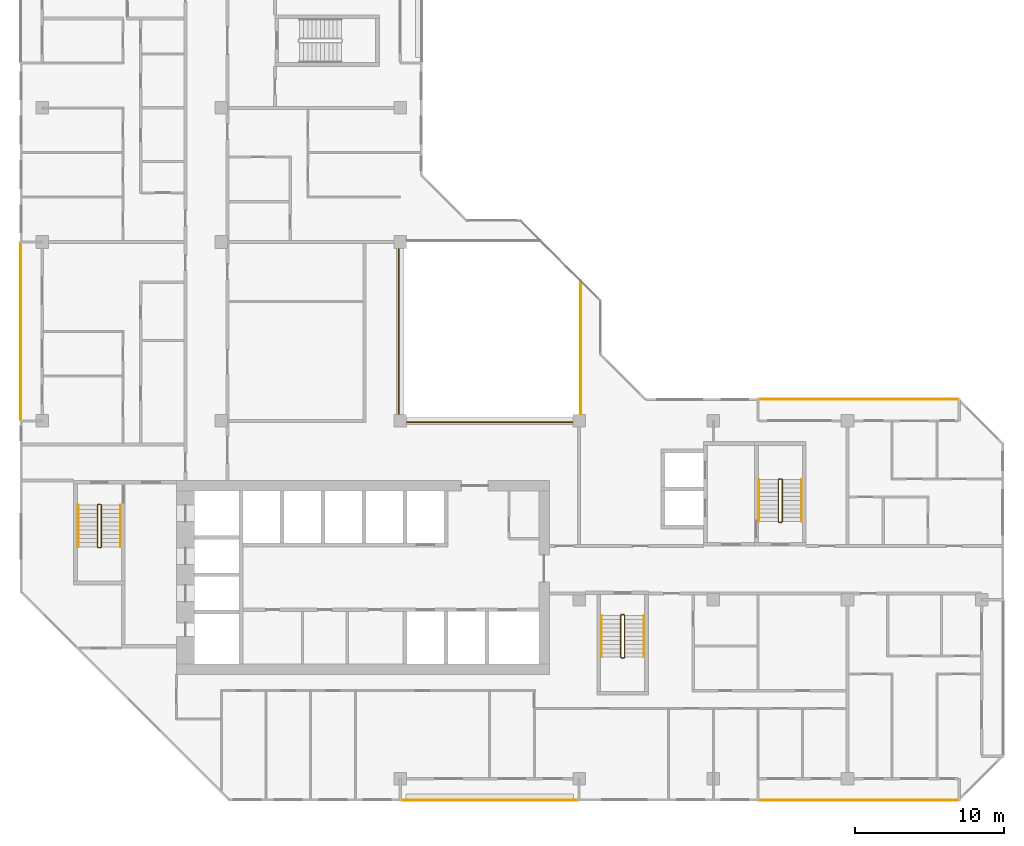
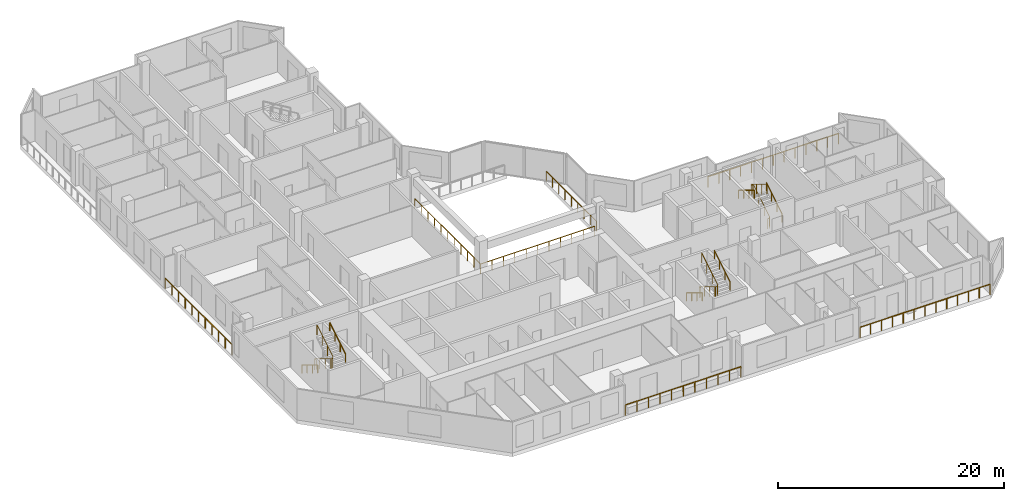
# One storey, part 15 of 16: 15 railings.
"""IFC4 building model written with IfcOpenShell, lengths in metres."""

from ifc_helpers import new_model, si_unit, direction, frame, origin, origin_2d, place, context, subcontext, project, spatial, rectangle, extrude, material, type_object, element, save


model = new_model("IFC4")

# Units and contexts
model_context = context("Model", 3, precision=1e-05, world=origin(), true_north=direction((0.0, 1.0)))
body_context = subcontext(model_context, "Body", "Model", "MODEL_VIEW")
ifc_project = project(units=[si_unit("LENGTHUNIT", "METRE"), si_unit("AREAUNIT", "SQUARE_METRE"), si_unit("VOLUMEUNIT", "CUBIC_METRE"), si_unit("PLANEANGLEUNIT", "RADIAN"), si_unit("MASSUNIT", "GRAM", prefix="KILO")], contexts=[model_context])

# Site, building, storey
site_placement = place(None, origin())
site = spatial("IfcSite", under=ifc_project, at=site_placement, CompositionType="ELEMENT")
building_placement = place(site_placement, origin())
building = spatial("IfcBuilding", under=site, at=building_placement, Name="Chenar Terraces", CompositionType="ELEMENT")
storey_placement = place(building_placement, frame((0.0, 0.0, 222.89990234375)))
storey = spatial("IfcBuildingStorey", under=building, at=storey_placement, Name="L52", CompositionType="ELEMENT", Elevation=222.89990234375)

# Railings
ifc_material_1 = material(Name="Powder-coated steel", Category="steel")
railing_type_1 = type_object("IfcRailingType", Name="Guard 1100 steel rail with glass infill", PredefinedType="GUARDRAIL", material=ifc_material_1)
railing_1_placement = place(storey_placement, frame((23.89990234375, 35.574951171875, 0.0)))
element("IfcRailing", 1, at=railing_1_placement, inside=storey, type_object=railing_type_1, Name="Guard L52-1", PredefinedType="GUARDRAIL", context=body_context, shape_type="SweptSolid", body=[
    extrude(rectangle(XDim=0.06005859375, YDim=0.06005859375, at=origin_2d()), frame((0.0, 0.0, 1.070068359375), z_axis=(0.0, -1.0, 0.0), x_axis=(1.0, 0.0, 0.0)), (0.0, 0.0, 1.0), 11.675048828125),
    extrude(rectangle(XDim=0.06005859375, YDim=0.06005859375, at=origin_2d()), frame((0.0, -11.675048828125, 1.070068359375), z_axis=(1.0, 0.0, 0.0), x_axis=(0.0, 1.0, 0.0)), (0.0, 0.0, 1.0), 11.675048828125),
    extrude(rectangle(XDim=0.050048828125, YDim=0.050048828125, at=origin_2d()), origin(), (0.0, 0.0, 1.0), 1.0400390625),
    extrude(rectangle(XDim=0.050048828125, YDim=0.050048828125, at=origin_2d()), frame((0.0, -1.16748046875, 0.0)), (0.0, 0.0, 1.0), 1.0400390625),
    extrude(rectangle(XDim=0.050048828125, YDim=0.050048828125, at=origin_2d()), frame((0.0, -2.3349609375, 0.0)), (0.0, 0.0, 1.0), 1.0400390625),
    extrude(rectangle(XDim=0.050048828125, YDim=0.050048828125, at=origin_2d()), frame((0.0, -3.50244140625, 0.0)), (0.0, 0.0, 1.0), 1.0400390625),
    extrude(rectangle(XDim=0.050048828125, YDim=0.050048828125, at=origin_2d()), frame((0.0, -4.669921875, 0.0)), (0.0, 0.0, 1.0), 1.0400390625),
    extrude(rectangle(XDim=0.050048828125, YDim=0.050048828125, at=origin_2d()), frame((0.0, -5.83740234375, 0.0)), (0.0, 0.0, 1.0), 1.0400390625),
    extrude(rectangle(XDim=0.050048828125, YDim=0.050048828125, at=origin_2d()), frame((0.0, -7.005126953125, 0.0)), (0.0, 0.0, 1.0), 1.0400390625),
    extrude(rectangle(XDim=0.050048828125, YDim=0.050048828125, at=origin_2d()), frame((0.0, -8.172607421875, 0.0)), (0.0, 0.0, 1.0), 1.0400390625),
    extrude(rectangle(XDim=0.050048828125, YDim=0.050048828125, at=origin_2d()), frame((0.0, -9.340087890625, 0.0)), (0.0, 0.0, 1.0), 1.0400390625),
    extrude(rectangle(XDim=0.050048828125, YDim=0.050048828125, at=origin_2d()), frame((0.0, -10.507568359375, 0.0)), (0.0, 0.0, 1.0), 1.0400390625),
    extrude(rectangle(XDim=0.050048828125, YDim=0.050048828125, at=origin_2d()), frame((0.0, -11.675048828125, 0.0)), (0.0, 0.0, 1.0), 1.0400390625),
    extrude(rectangle(XDim=0.050048828125, YDim=0.050048828125, at=origin_2d()), frame((1.16748046875, -11.675048828125, 0.0)), (0.0, 0.0, 1.0), 1.0400390625),
    extrude(rectangle(XDim=0.050048828125, YDim=0.050048828125, at=origin_2d()), frame((2.3349609375, -11.675048828125, 0.0)), (0.0, 0.0, 1.0), 1.0400390625),
    extrude(rectangle(XDim=0.050048828125, YDim=0.050048828125, at=origin_2d()), frame((3.50244140625, -11.675048828125, 0.0)), (0.0, 0.0, 1.0), 1.0400390625),
    extrude(rectangle(XDim=0.050048828125, YDim=0.050048828125, at=origin_2d()), frame((4.669921875, -11.675048828125, 0.0)), (0.0, 0.0, 1.0), 1.0400390625),
    extrude(rectangle(XDim=0.050048828125, YDim=0.050048828125, at=origin_2d()), frame((5.83740234375, -11.675048828125, 0.0)), (0.0, 0.0, 1.0), 1.0400390625),
    extrude(rectangle(XDim=0.050048828125, YDim=0.050048828125, at=origin_2d()), frame((7.005126953125, -11.675048828125, 0.0)), (0.0, 0.0, 1.0), 1.0400390625),
    extrude(rectangle(XDim=0.050048828125, YDim=0.050048828125, at=origin_2d()), frame((8.172607421875, -11.675048828125, 0.0)), (0.0, 0.0, 1.0), 1.0400390625),
    extrude(rectangle(XDim=0.050048828125, YDim=0.050048828125, at=origin_2d()), frame((9.340087890625, -11.675048828125, 0.0)), (0.0, 0.0, 1.0), 1.0400390625),
    extrude(rectangle(XDim=0.050048828125, YDim=0.050048828125, at=origin_2d()), frame((10.507568359375, -11.675048828125, 0.0)), (0.0, 0.0, 1.0), 1.0400390625),
    extrude(rectangle(XDim=0.050048828125, YDim=0.050048828125, at=origin_2d()), frame((11.675048828125, -11.675048828125, 0.0)), (0.0, 0.0, 1.0), 1.0400390625),
])
railing_2_placement = place(storey_placement, frame((36.10009765625, 24.47509765625, 0.0)))
element("IfcRailing", 2, at=railing_2_placement, inside=storey, type_object=railing_type_1, Name="Guard L52-3", PredefinedType="GUARDRAIL", context=body_context, shape_type="SweptSolid", body=[
    extrude(rectangle(XDim=0.06005859375, YDim=0.06005859375, at=origin_2d()), frame((0.0, 0.0, 1.070068359375), z_axis=(0.0, 1.0, 0.0), x_axis=(-1.0, 0.0, 0.0)), (0.0, 0.0, 1.0), 8.9248046875),
    extrude(rectangle(XDim=0.050048828125, YDim=0.050048828125, at=origin_2d()), origin(), (0.0, 0.0, 1.0), 1.0400390625),
    extrude(rectangle(XDim=0.050048828125, YDim=0.050048828125, at=origin_2d()), frame((0.0, 1.11572265625, 0.0)), (0.0, 0.0, 1.0), 1.0400390625),
    extrude(rectangle(XDim=0.050048828125, YDim=0.050048828125, at=origin_2d()), frame((0.0, 2.231201171875, 0.0)), (0.0, 0.0, 1.0), 1.0400390625),
    extrude(rectangle(XDim=0.050048828125, YDim=0.050048828125, at=origin_2d()), frame((0.0, 3.3466796875, 0.0)), (0.0, 0.0, 1.0), 1.0400390625),
    extrude(rectangle(XDim=0.050048828125, YDim=0.050048828125, at=origin_2d()), frame((0.0, 4.46240234375, 0.0)), (0.0, 0.0, 1.0), 1.0400390625),
    extrude(rectangle(XDim=0.050048828125, YDim=0.050048828125, at=origin_2d()), frame((0.0, 5.578125, 0.0)), (0.0, 0.0, 1.0), 1.0400390625),
    extrude(rectangle(XDim=0.050048828125, YDim=0.050048828125, at=origin_2d()), frame((0.0, 6.693603515625, 0.0)), (0.0, 0.0, 1.0), 1.0400390625),
    extrude(rectangle(XDim=0.050048828125, YDim=0.050048828125, at=origin_2d()), frame((0.0, 7.80908203125, 0.0)), (0.0, 0.0, 1.0), 1.0400390625),
    extrude(rectangle(XDim=0.050048828125, YDim=0.050048828125, at=origin_2d()), frame((0.0, 8.9248046875, 0.0)), (0.0, 0.0, 1.0), 1.0400390625),
])
ifc_material_2 = material(Name="Stainless steel and glass", Category="steel")
railing_type_2 = type_object("IfcRailingType", Name="Loggia guard 1150", PredefinedType="GUARDRAIL", material=ifc_material_2)
railing_3_placement = place(storey_placement, frame((61.425048828125, 25.449951171875, 0.0)))
element("IfcRailing", 3, at=railing_3_placement, inside=storey, type_object=railing_type_2, Name="Loggia guard", PredefinedType="GUARDRAIL", context=body_context, shape_type="SweptSolid", body=[
    extrude(rectangle(XDim=0.048095703125, YDim=0.048095703125, at=origin_2d()), frame((0.0, 0.0, 1.1259765625), z_axis=(-1.0, 0.0, 0.0), x_axis=(0.0, -1.0, 0.0)), (0.0, 0.0, 1.0), 13.35009765625),
    extrude(rectangle(XDim=0.0419921875, YDim=0.0419921875, at=origin_2d()), origin(), (0.0, 0.0, 1.0), 1.101806640625),
    extrude(rectangle(XDim=0.0419921875, YDim=0.0419921875, at=origin_2d()), frame((-1.112548828125, 0.0, 0.0)), (0.0, 0.0, 1.0), 1.101806640625),
    extrude(rectangle(XDim=0.0419921875, YDim=0.0419921875, at=origin_2d()), frame((-2.22509765625, 0.0, 0.0)), (0.0, 0.0, 1.0), 1.101806640625),
    extrude(rectangle(XDim=0.0419921875, YDim=0.0419921875, at=origin_2d()), frame((-3.33740234375, 0.0, 0.0)), (0.0, 0.0, 1.0), 1.101806640625),
    extrude(rectangle(XDim=0.0419921875, YDim=0.0419921875, at=origin_2d()), frame((-4.449951171875, 0.0, 0.0)), (0.0, 0.0, 1.0), 1.101806640625),
    extrude(rectangle(XDim=0.0419921875, YDim=0.0419921875, at=origin_2d()), frame((-5.5625, 0.0, 0.0)), (0.0, 0.0, 1.0), 1.101806640625),
    extrude(rectangle(XDim=0.0419921875, YDim=0.0419921875, at=origin_2d()), frame((-6.675048828125, 0.0, 0.0)), (0.0, 0.0, 1.0), 1.101806640625),
    extrude(rectangle(XDim=0.0419921875, YDim=0.0419921875, at=origin_2d()), frame((-7.78759765625, 0.0, 0.0)), (0.0, 0.0, 1.0), 1.101806640625),
    extrude(rectangle(XDim=0.0419921875, YDim=0.0419921875, at=origin_2d()), frame((-8.900146484375, 0.0, 0.0)), (0.0, 0.0, 1.0), 1.101806640625),
    extrude(rectangle(XDim=0.0419921875, YDim=0.0419921875, at=origin_2d()), frame((-10.0126953125, 0.0, 0.0)), (0.0, 0.0, 1.0), 1.101806640625),
    extrude(rectangle(XDim=0.0419921875, YDim=0.0419921875, at=origin_2d()), frame((-11.125, 0.0, 0.0)), (0.0, 0.0, 1.0), 1.101806640625),
    extrude(rectangle(XDim=0.0419921875, YDim=0.0419921875, at=origin_2d()), frame((-12.237548828125, 0.0, 0.0)), (0.0, 0.0, 1.0), 1.101806640625),
    extrude(rectangle(XDim=0.0419921875, YDim=0.0419921875, at=origin_2d()), frame((-13.35009765625, 0.0, 0.0)), (0.0, 0.0, 1.0), 1.101806640625),
])
railing_4_placement = place(storey_placement, frame((24.074951171875, -1.449951171875, 0.0)))
element("IfcRailing", 4, at=railing_4_placement, inside=storey, type_object=railing_type_2, Name="Loggia guard", PredefinedType="GUARDRAIL", context=body_context, shape_type="SweptSolid", body=[
    extrude(rectangle(XDim=0.048095703125, YDim=0.048095703125, at=origin_2d()), frame((0.0, 0.0, 1.1259765625), z_axis=(1.0, 0.0, 0.0), x_axis=(0.0, 1.0, 0.0)), (0.0, 0.0, 1.0), 11.85009765625),
    extrude(rectangle(XDim=0.0419921875, YDim=0.0419921875, at=origin_2d()), origin(), (0.0, 0.0, 1.0), 1.101806640625),
    extrude(rectangle(XDim=0.0419921875, YDim=0.0419921875, at=origin_2d()), frame((1.18505859375, 0.0, 0.0)), (0.0, 0.0, 1.0), 1.101806640625),
    extrude(rectangle(XDim=0.0419921875, YDim=0.0419921875, at=origin_2d()), frame((2.3701171875, 0.0, 0.0)), (0.0, 0.0, 1.0), 1.101806640625),
    extrude(rectangle(XDim=0.0419921875, YDim=0.0419921875, at=origin_2d()), frame((3.554931640625, 0.0, 0.0)), (0.0, 0.0, 1.0), 1.101806640625),
    extrude(rectangle(XDim=0.0419921875, YDim=0.0419921875, at=origin_2d()), frame((4.739990234375, 0.0, 0.0)), (0.0, 0.0, 1.0), 1.101806640625),
    extrude(rectangle(XDim=0.0419921875, YDim=0.0419921875, at=origin_2d()), frame((5.925048828125, 0.0, 0.0)), (0.0, 0.0, 1.0), 1.101806640625),
    extrude(rectangle(XDim=0.0419921875, YDim=0.0419921875, at=origin_2d()), frame((7.110107421875, 0.0, 0.0)), (0.0, 0.0, 1.0), 1.101806640625),
    extrude(rectangle(XDim=0.0419921875, YDim=0.0419921875, at=origin_2d()), frame((8.295166015625, 0.0, 0.0)), (0.0, 0.0, 1.0), 1.101806640625),
    extrude(rectangle(XDim=0.0419921875, YDim=0.0419921875, at=origin_2d()), frame((9.47998046875, 0.0, 0.0)), (0.0, 0.0, 1.0), 1.101806640625),
    extrude(rectangle(XDim=0.0419921875, YDim=0.0419921875, at=origin_2d()), frame((10.6650390625, 0.0, 0.0)), (0.0, 0.0, 1.0), 1.101806640625),
    extrude(rectangle(XDim=0.0419921875, YDim=0.0419921875, at=origin_2d()), frame((11.85009765625, 0.0, 0.0)), (0.0, 0.0, 1.0), 1.101806640625),
])
railing_5_placement = place(storey_placement, frame((48.074951171875, -1.449951171875, 0.0)))
element("IfcRailing", 5, at=railing_5_placement, inside=storey, type_object=railing_type_2, Name="Loggia guard", PredefinedType="GUARDRAIL", context=body_context, shape_type="SweptSolid", body=[
    extrude(rectangle(XDim=0.048095703125, YDim=0.048095703125, at=origin_2d()), frame((0.0, 0.0, 1.1259765625), z_axis=(1.0, 0.0, 0.0), x_axis=(0.0, 1.0, 0.0)), (0.0, 0.0, 1.0), 13.35009765625),
    extrude(rectangle(XDim=0.0419921875, YDim=0.0419921875, at=origin_2d()), origin(), (0.0, 0.0, 1.0), 1.101806640625),
    extrude(rectangle(XDim=0.0419921875, YDim=0.0419921875, at=origin_2d()), frame((1.112548828125, 0.0, 0.0)), (0.0, 0.0, 1.0), 1.101806640625),
    extrude(rectangle(XDim=0.0419921875, YDim=0.0419921875, at=origin_2d()), frame((2.22509765625, 0.0, 0.0)), (0.0, 0.0, 1.0), 1.101806640625),
    extrude(rectangle(XDim=0.0419921875, YDim=0.0419921875, at=origin_2d()), frame((3.33740234375, 0.0, 0.0)), (0.0, 0.0, 1.0), 1.101806640625),
    extrude(rectangle(XDim=0.0419921875, YDim=0.0419921875, at=origin_2d()), frame((4.449951171875, 0.0, 0.0)), (0.0, 0.0, 1.0), 1.101806640625),
    extrude(rectangle(XDim=0.0419921875, YDim=0.0419921875, at=origin_2d()), frame((5.5625, 0.0, 0.0)), (0.0, 0.0, 1.0), 1.101806640625),
    extrude(rectangle(XDim=0.0419921875, YDim=0.0419921875, at=origin_2d()), frame((6.675048828125, 0.0, 0.0)), (0.0, 0.0, 1.0), 1.101806640625),
    extrude(rectangle(XDim=0.0419921875, YDim=0.0419921875, at=origin_2d()), frame((7.78759765625, 0.0, 0.0)), (0.0, 0.0, 1.0), 1.101806640625),
    extrude(rectangle(XDim=0.0419921875, YDim=0.0419921875, at=origin_2d()), frame((8.900146484375, 0.0, 0.0)), (0.0, 0.0, 1.0), 1.101806640625),
    extrude(rectangle(XDim=0.0419921875, YDim=0.0419921875, at=origin_2d()), frame((10.0126953125, 0.0, 0.0)), (0.0, 0.0, 1.0), 1.101806640625),
    extrude(rectangle(XDim=0.0419921875, YDim=0.0419921875, at=origin_2d()), frame((11.125, 0.0, 0.0)), (0.0, 0.0, 1.0), 1.101806640625),
    extrude(rectangle(XDim=0.0419921875, YDim=0.0419921875, at=origin_2d()), frame((12.237548828125, 0.0, 0.0)), (0.0, 0.0, 1.0), 1.101806640625),
    extrude(rectangle(XDim=0.0419921875, YDim=0.0419921875, at=origin_2d()), frame((13.35009765625, 0.0, 0.0)), (0.0, 0.0, 1.0), 1.101806640625),
])
railing_6_placement = place(storey_placement, frame((-1.449951171875, 35.925048828125, 0.0)))
element("IfcRailing", 6, at=railing_6_placement, inside=storey, type_object=railing_type_2, Name="Loggia guard", PredefinedType="GUARDRAIL", context=body_context, shape_type="SweptSolid", body=[
    extrude(rectangle(XDim=0.048095703125, YDim=0.048095703125, at=origin_2d()), frame((0.0, 0.0, 1.1259765625), z_axis=(0.0, -1.0, 0.0), x_axis=(1.0, 0.0, 0.0)), (0.0, 0.0, 1.0), 11.85009765625),
    extrude(rectangle(XDim=0.0419921875, YDim=0.0419921875, at=origin_2d()), origin(), (0.0, 0.0, 1.0), 1.101806640625),
    extrude(rectangle(XDim=0.0419921875, YDim=0.0419921875, at=origin_2d()), frame((0.0, -1.18505859375, 0.0)), (0.0, 0.0, 1.0), 1.101806640625),
    extrude(rectangle(XDim=0.0419921875, YDim=0.0419921875, at=origin_2d()), frame((0.0, -2.3701171875, 0.0)), (0.0, 0.0, 1.0), 1.101806640625),
    extrude(rectangle(XDim=0.0419921875, YDim=0.0419921875, at=origin_2d()), frame((0.0, -3.554931640625, 0.0)), (0.0, 0.0, 1.0), 1.101806640625),
    extrude(rectangle(XDim=0.0419921875, YDim=0.0419921875, at=origin_2d()), frame((0.0, -4.739990234375, 0.0)), (0.0, 0.0, 1.0), 1.101806640625),
    extrude(rectangle(XDim=0.0419921875, YDim=0.0419921875, at=origin_2d()), frame((0.0, -5.925048828125, 0.0)), (0.0, 0.0, 1.0), 1.101806640625),
    extrude(rectangle(XDim=0.0419921875, YDim=0.0419921875, at=origin_2d()), frame((0.0, -7.110107421875, 0.0)), (0.0, 0.0, 1.0), 1.101806640625),
    extrude(rectangle(XDim=0.0419921875, YDim=0.0419921875, at=origin_2d()), frame((0.0, -8.295166015625, 0.0)), (0.0, 0.0, 1.0), 1.101806640625),
    extrude(rectangle(XDim=0.0419921875, YDim=0.0419921875, at=origin_2d()), frame((0.0, -9.47998046875, 0.0)), (0.0, 0.0, 1.0), 1.101806640625),
    extrude(rectangle(XDim=0.0419921875, YDim=0.0419921875, at=origin_2d()), frame((0.0, -10.6650390625, 0.0)), (0.0, 0.0, 1.0), 1.101806640625),
    extrude(rectangle(XDim=0.0419921875, YDim=0.0419921875, at=origin_2d()), frame((0.0, -11.85009765625, 0.0)), (0.0, 0.0, 1.0), 1.101806640625),
])
ifc_material_3 = material(Name="Powder-coated steel", Category="steel")
railing_type_3 = type_object("IfcRailingType", Name="Stair guard 1100", PredefinedType="GUARDRAIL", material=ifc_material_3)
railing_7_placement = place(storey_placement, frame((3.949951171875, 18.35009765625, 3.75)))
element("IfcRailing", 7, at=railing_7_placement, inside=storey, type_object=railing_type_3, Name="L52 ST1 stair guard 1", PredefinedType="GUARDRAIL", context=body_context, shape_type="SweptSolid", body=[
    extrude(rectangle(XDim=0.048095703125, YDim=0.048095703125, at=origin_2d()), frame((0.0, 0.0, 1.076171875), z_axis=(0.0, -0.854202870247, -0.519939858505), x_axis=(1.0, 0.0, 0.0)), (0.0, 0.0, 1.0), 3.278076171875),
    extrude(rectangle(XDim=0.048095703125, YDim=0.048095703125, at=origin_2d()), frame((0.0, -2.800048828125, -0.62841796875), z_axis=(-0.270899902878, -0.270899902878, -0.923702595667), x_axis=(0.707106781187, -0.707106781187, 0.0)), (0.0, 0.0, 1.0), 0.184814453125),
    extrude(rectangle(XDim=0.048095703125, YDim=0.048095703125, at=origin_2d()), frame((-0.050048828125, -2.85009765625, -0.798828125), z_axis=(-1.0, 0.0, 0.0), x_axis=(0.0, -1.0, 0.0)), (0.0, 0.0, 1.0), 0.14990234375),
    extrude(rectangle(XDim=0.048095703125, YDim=0.048095703125, at=origin_2d()), frame((-0.199951171875, -2.85009765625, -0.798828125), z_axis=(-0.707106781187, 0.707106781187, 0.0), x_axis=(-0.707106781187, -0.707106781187, 0.0)), (0.0, 0.0, 1.0), 0.07080078125),
    extrude(rectangle(XDim=0.048095703125, YDim=0.048095703125, at=origin_2d()), frame((-0.25, -2.800048828125, -0.798828125), z_axis=(0.0, 0.854202870247, -0.519939858505), x_axis=(-1.0, 0.0, 0.0)), (0.0, 0.0, 1.0), 3.278076171875),
    extrude(rectangle(XDim=0.048095703125, YDim=0.048095703125, at=origin_2d()), frame((-0.25, 0.0, -2.50341796875), z_axis=(0.270996696079, 0.269674760976, -0.924032636873), x_axis=(-0.705375805398, 0.708833529934, 0.0)), (0.0, 0.0, 1.0), 0.1845703125),
    extrude(rectangle(XDim=0.048095703125, YDim=0.048095703125, at=origin_2d()), frame((-0.199951171875, 0.0498046875, -2.673828125), z_axis=(1.0, 0.0, 0.0), x_axis=(0.0, 1.0, 0.0)), (0.0, 0.0, 1.0), 0.14990234375),
    extrude(rectangle(XDim=0.0419921875, YDim=0.0419921875, at=origin_2d()), origin(), (0.0, 0.0, 1.0), 1.052001953125),
    extrude(rectangle(XDim=0.0419921875, YDim=0.0419921875, at=origin_2d()), frame((0.0, -0.933349609375, -0.568115234375)), (0.0, 0.0, 1.0), 1.052001953125),
    extrude(rectangle(XDim=0.0419921875, YDim=0.0419921875, at=origin_2d()), frame((0.0, -1.86669921875, -1.13623046875)), (0.0, 0.0, 1.0), 1.052001953125),
    extrude(rectangle(XDim=0.0419921875, YDim=0.0419921875, at=origin_2d()), frame((0.0, -2.800048828125, -1.704345703125)), (0.0, 0.0, 1.0), 1.052001953125),
    extrude(rectangle(XDim=0.0419921875, YDim=0.0419921875, at=origin_2d()), frame((-0.050048828125, -2.85009765625, -1.875)), (0.0, 0.0, 1.0), 1.052001953125),
    extrude(rectangle(XDim=0.0419921875, YDim=0.0419921875, at=origin_2d()), frame((-0.199951171875, -2.85009765625, -1.875)), (0.0, 0.0, 1.0), 1.052001953125),
    extrude(rectangle(XDim=0.0419921875, YDim=0.0419921875, at=origin_2d()), frame((-0.25, -2.800048828125, -1.875)), (0.0, 0.0, 1.0), 1.052001953125),
    extrude(rectangle(XDim=0.0419921875, YDim=0.0419921875, at=origin_2d()), frame((-0.25, -1.86669921875, -2.443115234375)), (0.0, 0.0, 1.0), 1.052001953125),
    extrude(rectangle(XDim=0.0419921875, YDim=0.0419921875, at=origin_2d()), frame((-0.25, -0.933349609375, -3.01123046875)), (0.0, 0.0, 1.0), 1.052001953125),
    extrude(rectangle(XDim=0.0419921875, YDim=0.0419921875, at=origin_2d()), frame((-0.25, 0.0, -3.579345703125)), (0.0, 0.0, 1.0), 1.052001953125),
    extrude(rectangle(XDim=0.0419921875, YDim=0.0419921875, at=origin_2d()), frame((-0.199951171875, 0.0498046875, -3.75)), (0.0, 0.0, 1.0), 1.052001953125),
    extrude(rectangle(XDim=0.0419921875, YDim=0.0419921875, at=origin_2d()), frame((-0.050048828125, 0.0498046875, -3.75)), (0.0, 0.0, 1.0), 1.052001953125),
])
railing_8_placement = place(storey_placement, frame((39.050048828125, 10.949951171875, 3.75)))
element("IfcRailing", 8, at=railing_8_placement, inside=storey, type_object=railing_type_3, Name="L52 ST2 stair guard 1", PredefinedType="GUARDRAIL", context=body_context, shape_type="SweptSolid", body=[
    extrude(rectangle(XDim=0.048095703125, YDim=0.048095703125, at=origin_2d()), frame((0.0, 0.0, 1.076171875), z_axis=(0.0, -0.854202870247, -0.519939858505), x_axis=(1.0, 0.0, 0.0)), (0.0, 0.0, 1.0), 3.278076171875),
    extrude(rectangle(XDim=0.048095703125, YDim=0.048095703125, at=origin_2d()), frame((0.0, -2.800048828125, -0.62841796875), z_axis=(-0.270996696079, -0.269674760976, -0.924032636873), x_axis=(0.705375805398, -0.708833529934, 0.0)), (0.0, 0.0, 1.0), 0.1845703125),
    extrude(rectangle(XDim=0.048095703125, YDim=0.048095703125, at=origin_2d()), frame((-0.050048828125, -2.849853515625, -0.798828125), z_axis=(-1.0, 0.0, 0.0), x_axis=(0.0, -1.0, 0.0)), (0.0, 0.0, 1.0), 0.14990234375),
    extrude(rectangle(XDim=0.048095703125, YDim=0.048095703125, at=origin_2d()), frame((-0.199951171875, -2.849853515625, -0.798828125), z_axis=(-0.708833529934, 0.705375805398, 0.0), x_axis=(-0.705375805398, -0.708833529934, 0.0)), (0.0, 0.0, 1.0), 0.070556640625),
    extrude(rectangle(XDim=0.048095703125, YDim=0.048095703125, at=origin_2d()), frame((-0.25, -2.800048828125, -0.798828125), z_axis=(0.0, 0.854202870247, -0.519939858505), x_axis=(-1.0, 0.0, 0.0)), (0.0, 0.0, 1.0), 3.278076171875),
    extrude(rectangle(XDim=0.048095703125, YDim=0.048095703125, at=origin_2d()), frame((-0.25, 0.0, -2.50341796875), z_axis=(0.270899902878, 0.270899902878, -0.923702595667), x_axis=(-0.707106781187, 0.707106781187, 0.0)), (0.0, 0.0, 1.0), 0.184814453125),
    extrude(rectangle(XDim=0.048095703125, YDim=0.048095703125, at=origin_2d()), frame((-0.199951171875, 0.050048828125, -2.673828125), z_axis=(1.0, 0.0, 0.0), x_axis=(0.0, 1.0, 0.0)), (0.0, 0.0, 1.0), 0.14990234375),
    extrude(rectangle(XDim=0.0419921875, YDim=0.0419921875, at=origin_2d()), origin(), (0.0, 0.0, 1.0), 1.052001953125),
    extrude(rectangle(XDim=0.0419921875, YDim=0.0419921875, at=origin_2d()), frame((0.0, -0.933349609375, -0.568115234375)), (0.0, 0.0, 1.0), 1.052001953125),
    extrude(rectangle(XDim=0.0419921875, YDim=0.0419921875, at=origin_2d()), frame((0.0, -1.86669921875, -1.13623046875)), (0.0, 0.0, 1.0), 1.052001953125),
    extrude(rectangle(XDim=0.0419921875, YDim=0.0419921875, at=origin_2d()), frame((0.0, -2.800048828125, -1.704345703125)), (0.0, 0.0, 1.0), 1.052001953125),
    extrude(rectangle(XDim=0.0419921875, YDim=0.0419921875, at=origin_2d()), frame((-0.050048828125, -2.849853515625, -1.875)), (0.0, 0.0, 1.0), 1.052001953125),
    extrude(rectangle(XDim=0.0419921875, YDim=0.0419921875, at=origin_2d()), frame((-0.199951171875, -2.849853515625, -1.875)), (0.0, 0.0, 1.0), 1.052001953125),
    extrude(rectangle(XDim=0.0419921875, YDim=0.0419921875, at=origin_2d()), frame((-0.25, -2.800048828125, -1.875)), (0.0, 0.0, 1.0), 1.052001953125),
    extrude(rectangle(XDim=0.0419921875, YDim=0.0419921875, at=origin_2d()), frame((-0.25, -1.86669921875, -2.443115234375)), (0.0, 0.0, 1.0), 1.052001953125),
    extrude(rectangle(XDim=0.0419921875, YDim=0.0419921875, at=origin_2d()), frame((-0.25, -0.933349609375, -3.01123046875)), (0.0, 0.0, 1.0), 1.052001953125),
    extrude(rectangle(XDim=0.0419921875, YDim=0.0419921875, at=origin_2d()), frame((-0.25, 0.0, -3.579345703125)), (0.0, 0.0, 1.0), 1.052001953125),
    extrude(rectangle(XDim=0.0419921875, YDim=0.0419921875, at=origin_2d()), frame((-0.199951171875, 0.050048828125, -3.75)), (0.0, 0.0, 1.0), 1.052001953125),
    extrude(rectangle(XDim=0.0419921875, YDim=0.0419921875, at=origin_2d()), frame((-0.050048828125, 0.050048828125, -3.75)), (0.0, 0.0, 1.0), 1.052001953125),
])
railing_9_placement = place(storey_placement, frame((49.375, 17.25, 3.75)))
element("IfcRailing", 9, at=railing_9_placement, inside=storey, type_object=railing_type_3, Name="L52 ST3 stair guard 1", PredefinedType="GUARDRAIL", context=body_context, shape_type="SweptSolid", body=[
    extrude(rectangle(XDim=0.048095703125, YDim=0.048095703125, at=origin_2d()), frame((0.0, 0.0, 1.076171875), z_axis=(0.0, 0.854202870247, -0.519939858505), x_axis=(-1.0, 0.0, 0.0)), (0.0, 0.0, 1.0), 3.278076171875),
    extrude(rectangle(XDim=0.048095703125, YDim=0.048095703125, at=origin_2d()), frame((0.0, 2.800048828125, -0.62841796875), z_axis=(0.270899902878, 0.270899902878, -0.923702595667), x_axis=(-0.707106781187, 0.707106781187, 0.0)), (0.0, 0.0, 1.0), 0.184814453125),
    extrude(rectangle(XDim=0.048095703125, YDim=0.048095703125, at=origin_2d()), frame((0.050048828125, 2.85009765625, -0.798828125), z_axis=(1.0, 0.0, 0.0), x_axis=(0.0, 1.0, 0.0)), (0.0, 0.0, 1.0), 0.14990234375),
    extrude(rectangle(XDim=0.048095703125, YDim=0.048095703125, at=origin_2d()), frame((0.199951171875, 2.85009765625, -0.798828125), z_axis=(0.707106781187, -0.707106781187, 0.0), x_axis=(0.707106781187, 0.707106781187, 0.0)), (0.0, 0.0, 1.0), 0.07080078125),
    extrude(rectangle(XDim=0.048095703125, YDim=0.048095703125, at=origin_2d()), frame((0.25, 2.800048828125, -0.798828125), z_axis=(0.0, -0.854202870247, -0.519939858505), x_axis=(1.0, 0.0, 0.0)), (0.0, 0.0, 1.0), 3.278076171875),
    extrude(rectangle(XDim=0.048095703125, YDim=0.048095703125, at=origin_2d()), frame((0.25, 0.0, -2.50341796875), z_axis=(-0.270899902878, -0.270899902878, -0.923702595667), x_axis=(0.707106781187, -0.707106781187, 0.0)), (0.0, 0.0, 1.0), 0.184814453125),
    extrude(rectangle(XDim=0.048095703125, YDim=0.048095703125, at=origin_2d()), frame((0.199951171875, -0.050048828125, -2.673828125), z_axis=(-1.0, 0.0, 0.0), x_axis=(0.0, -1.0, 0.0)), (0.0, 0.0, 1.0), 0.14990234375),
    extrude(rectangle(XDim=0.0419921875, YDim=0.0419921875, at=origin_2d()), origin(), (0.0, 0.0, 1.0), 1.052001953125),
    extrude(rectangle(XDim=0.0419921875, YDim=0.0419921875, at=origin_2d()), frame((0.0, 0.933349609375, -0.568115234375)), (0.0, 0.0, 1.0), 1.052001953125),
    extrude(rectangle(XDim=0.0419921875, YDim=0.0419921875, at=origin_2d()), frame((0.0, 1.86669921875, -1.13623046875)), (0.0, 0.0, 1.0), 1.052001953125),
    extrude(rectangle(XDim=0.0419921875, YDim=0.0419921875, at=origin_2d()), frame((0.0, 2.800048828125, -1.704345703125)), (0.0, 0.0, 1.0), 1.052001953125),
    extrude(rectangle(XDim=0.0419921875, YDim=0.0419921875, at=origin_2d()), frame((0.050048828125, 2.85009765625, -1.875)), (0.0, 0.0, 1.0), 1.052001953125),
    extrude(rectangle(XDim=0.0419921875, YDim=0.0419921875, at=origin_2d()), frame((0.199951171875, 2.85009765625, -1.875)), (0.0, 0.0, 1.0), 1.052001953125),
    extrude(rectangle(XDim=0.0419921875, YDim=0.0419921875, at=origin_2d()), frame((0.25, 2.800048828125, -1.875)), (0.0, 0.0, 1.0), 1.052001953125),
    extrude(rectangle(XDim=0.0419921875, YDim=0.0419921875, at=origin_2d()), frame((0.25, 1.86669921875, -2.443115234375)), (0.0, 0.0, 1.0), 1.052001953125),
    extrude(rectangle(XDim=0.0419921875, YDim=0.0419921875, at=origin_2d()), frame((0.25, 0.933349609375, -3.01123046875)), (0.0, 0.0, 1.0), 1.052001953125),
    extrude(rectangle(XDim=0.0419921875, YDim=0.0419921875, at=origin_2d()), frame((0.25, 0.0, -3.579345703125)), (0.0, 0.0, 1.0), 1.052001953125),
    extrude(rectangle(XDim=0.0419921875, YDim=0.0419921875, at=origin_2d()), frame((0.199951171875, -0.050048828125, -3.75)), (0.0, 0.0, 1.0), 1.052001953125),
    extrude(rectangle(XDim=0.0419921875, YDim=0.0419921875, at=origin_2d()), frame((0.050048828125, -0.050048828125, -3.75)), (0.0, 0.0, 1.0), 1.052001953125),
])
ifc_material_4 = material(Name="Powder-coated steel", Category="steel")
railing_type_4 = type_object("IfcRailingType", Name="Stair handrail 900", PredefinedType="HANDRAIL", material=ifc_material_4)
railing_10_placement = place(storey_placement, frame((2.39990234375, 18.35009765625, 0.170654296875)))
element("IfcRailing", 10, at=railing_10_placement, inside=storey, type_object=railing_type_4, Name="L52 ST1 stair handrail 1", PredefinedType="HANDRAIL", context=body_context, shape_type="SweptSolid", body=[
    extrude(rectangle(XDim=0.048095703125, YDim=0.048095703125, at=origin_2d()), frame((0.0, 0.0, 0.8759765625), z_axis=(0.0, -0.854202870247, 0.519939858505), x_axis=(1.0, 0.0, 0.0)), (0.0, 0.0, 1.0), 3.278076171875),
    extrude(rectangle(XDim=0.0419921875, YDim=0.0419921875, at=origin_2d()), origin(), (0.0, 0.0, 1.0), 0.851806640625),
    extrude(rectangle(XDim=0.0419921875, YDim=0.0419921875, at=origin_2d()), frame((0.0, -0.933349609375, 0.568115234375)), (0.0, 0.0, 1.0), 0.851806640625),
    extrude(rectangle(XDim=0.0419921875, YDim=0.0419921875, at=origin_2d()), frame((0.0, -1.86669921875, 1.13623046875)), (0.0, 0.0, 1.0), 0.851806640625),
    extrude(rectangle(XDim=0.0419921875, YDim=0.0419921875, at=origin_2d()), frame((0.0, -2.800048828125, 1.704345703125)), (0.0, 0.0, 1.0), 0.851806640625),
])
railing_11_placement = place(storey_placement, frame((5.25, 15.550048828125, 2.045654296875)))
element("IfcRailing", 11, at=railing_11_placement, inside=storey, type_object=railing_type_4, Name="L52 ST1 stair handrail 2", PredefinedType="HANDRAIL", context=body_context, shape_type="SweptSolid", body=[
    extrude(rectangle(XDim=0.048095703125, YDim=0.048095703125, at=origin_2d()), frame((0.0, 0.0, 0.8759765625), z_axis=(0.0, 0.854202870247, 0.519939858505), x_axis=(-1.0, 0.0, 0.0)), (0.0, 0.0, 1.0), 3.278076171875),
    extrude(rectangle(XDim=0.0419921875, YDim=0.0419921875, at=origin_2d()), origin(), (0.0, 0.0, 1.0), 0.851806640625),
    extrude(rectangle(XDim=0.0419921875, YDim=0.0419921875, at=origin_2d()), frame((0.0, 0.933349609375, 0.568115234375)), (0.0, 0.0, 1.0), 0.851806640625),
    extrude(rectangle(XDim=0.0419921875, YDim=0.0419921875, at=origin_2d()), frame((0.0, 1.86669921875, 1.13623046875)), (0.0, 0.0, 1.0), 0.851806640625),
    extrude(rectangle(XDim=0.0419921875, YDim=0.0419921875, at=origin_2d()), frame((0.0, 2.800048828125, 1.704345703125)), (0.0, 0.0, 1.0), 0.851806640625),
])
railing_12_placement = place(storey_placement, frame((37.5, 10.949951171875, 0.170654296875)))
element("IfcRailing", 12, at=railing_12_placement, inside=storey, type_object=railing_type_4, Name="L52 ST2 stair handrail 1", PredefinedType="HANDRAIL", context=body_context, shape_type="SweptSolid", body=[
    extrude(rectangle(XDim=0.048095703125, YDim=0.048095703125, at=origin_2d()), frame((0.0, 0.0, 0.8759765625), z_axis=(0.0, -0.854202870247, 0.519939858505), x_axis=(1.0, 0.0, 0.0)), (0.0, 0.0, 1.0), 3.278076171875),
    extrude(rectangle(XDim=0.0419921875, YDim=0.0419921875, at=origin_2d()), origin(), (0.0, 0.0, 1.0), 0.851806640625),
    extrude(rectangle(XDim=0.0419921875, YDim=0.0419921875, at=origin_2d()), frame((0.0, -0.933349609375, 0.568115234375)), (0.0, 0.0, 1.0), 0.851806640625),
    extrude(rectangle(XDim=0.0419921875, YDim=0.0419921875, at=origin_2d()), frame((0.0, -1.86669921875, 1.13623046875)), (0.0, 0.0, 1.0), 0.851806640625),
    extrude(rectangle(XDim=0.0419921875, YDim=0.0419921875, at=origin_2d()), frame((0.0, -2.800048828125, 1.704345703125)), (0.0, 0.0, 1.0), 0.851806640625),
])
for number, where, name in (
    (13, (40.35009765625, 8.14990234375, 2.045654296875), "L52 ST2 stair handrail 2"),
    (14, (50.925048828125, 17.25, 0.170654296875), "L52 ST3 stair handrail 1"),
):
    element("IfcRailing", number, at=place(storey_placement, frame(where)), inside=storey, type_object=railing_type_4, Name=name, PredefinedType="HANDRAIL", context=body_context, shape_type="SweptSolid", body=[
        extrude(rectangle(XDim=0.048095703125, YDim=0.048095703125, at=origin_2d()), frame((0.0, 0.0, 0.8759765625), z_axis=(0.0, 0.854202870247, 0.519939858505), x_axis=(-1.0, 0.0, 0.0)), (0.0, 0.0, 1.0), 3.278076171875),
        extrude(rectangle(XDim=0.0419921875, YDim=0.0419921875, at=origin_2d()), origin(), (0.0, 0.0, 1.0), 0.851806640625),
        extrude(rectangle(XDim=0.0419921875, YDim=0.0419921875, at=origin_2d()), frame((0.0, 0.933349609375, 0.568115234375)), (0.0, 0.0, 1.0), 0.851806640625),
        extrude(rectangle(XDim=0.0419921875, YDim=0.0419921875, at=origin_2d()), frame((0.0, 1.86669921875, 1.13623046875)), (0.0, 0.0, 1.0), 0.851806640625),
        extrude(rectangle(XDim=0.0419921875, YDim=0.0419921875, at=origin_2d()), frame((0.0, 2.800048828125, 1.704345703125)), (0.0, 0.0, 1.0), 0.851806640625),
    ])
railing_13_placement = place(storey_placement, frame((48.074951171875, 20.050048828125, 2.045654296875)))
element("IfcRailing", 15, at=railing_13_placement, inside=storey, type_object=railing_type_4, Name="L52 ST3 stair handrail 2", PredefinedType="HANDRAIL", context=body_context, shape_type="SweptSolid", body=[
    extrude(rectangle(XDim=0.048095703125, YDim=0.048095703125, at=origin_2d()), frame((0.0, 0.0, 0.8759765625), z_axis=(0.0, -0.854202870247, 0.519939858505), x_axis=(1.0, 0.0, 0.0)), (0.0, 0.0, 1.0), 3.278076171875),
    extrude(rectangle(XDim=0.0419921875, YDim=0.0419921875, at=origin_2d()), origin(), (0.0, 0.0, 1.0), 0.851806640625),
    extrude(rectangle(XDim=0.0419921875, YDim=0.0419921875, at=origin_2d()), frame((0.0, -0.933349609375, 0.568115234375)), (0.0, 0.0, 1.0), 0.851806640625),
    extrude(rectangle(XDim=0.0419921875, YDim=0.0419921875, at=origin_2d()), frame((0.0, -1.86669921875, 1.13623046875)), (0.0, 0.0, 1.0), 0.851806640625),
    extrude(rectangle(XDim=0.0419921875, YDim=0.0419921875, at=origin_2d()), frame((0.0, -2.800048828125, 1.704345703125)), (0.0, 0.0, 1.0), 0.851806640625),
])

save(model, "model.ifc")
